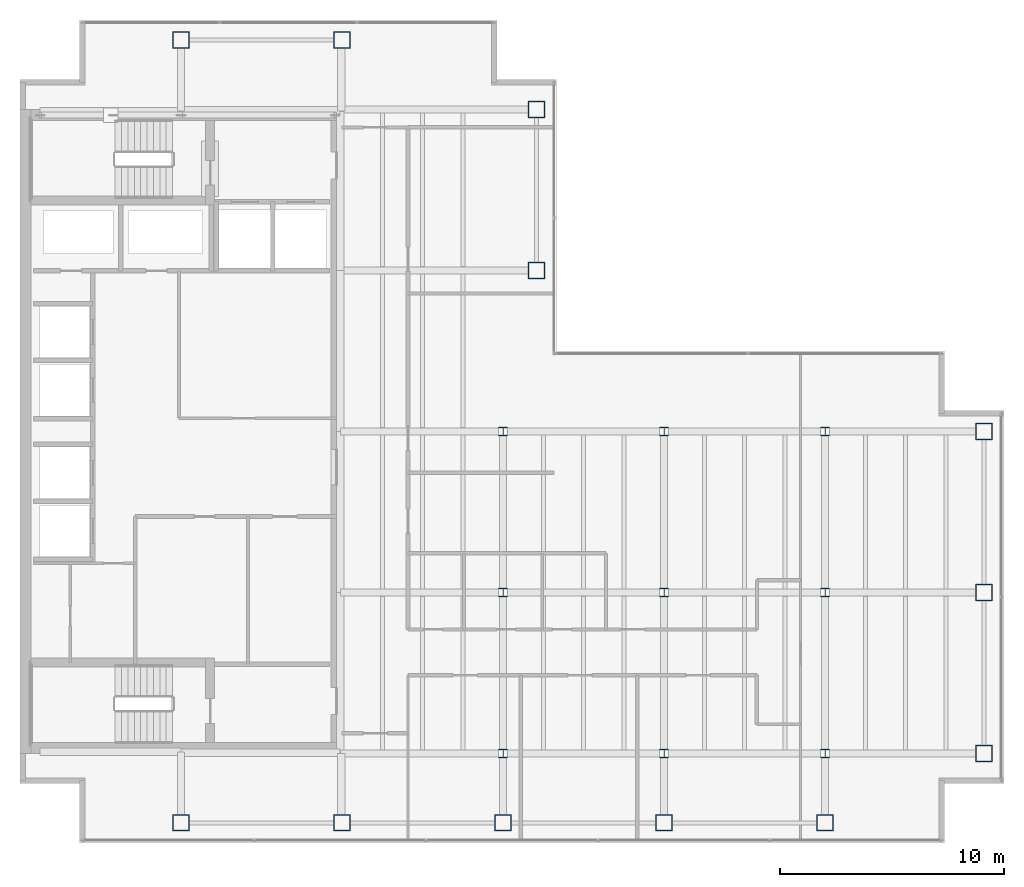
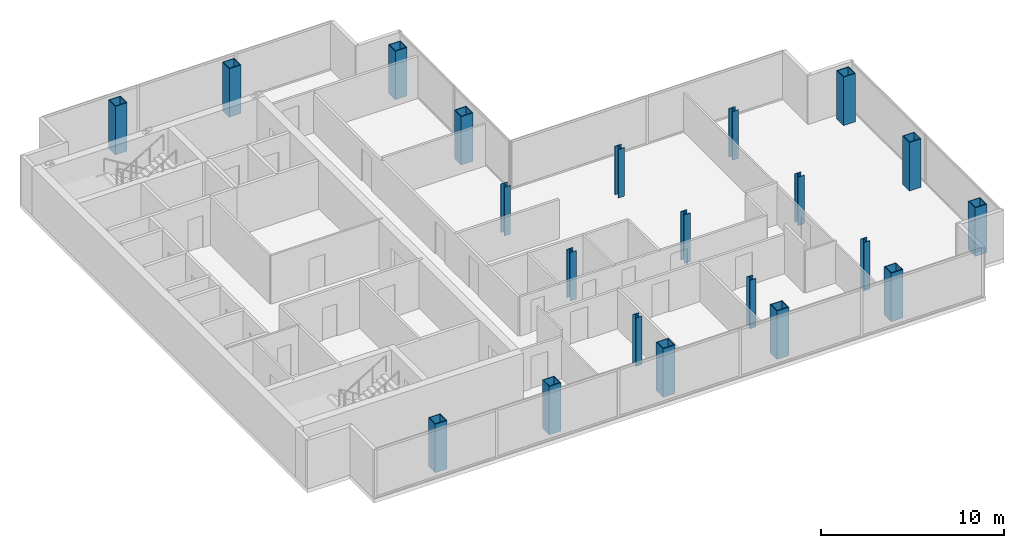
# One storey, part 1 of 23: 21 columns.
"""IFC4 building model written with IfcOpenShell, lengths in metres."""

from ifc_helpers import new_model, si_unit, direction, frame, origin, origin_2d, place, context, subcontext, project, spatial, hollow_rectangle, i_section, extrude, material, material_profile, profile_set, type_object, element, save


model = new_model("IFC4")

# Units and contexts
model_context = context("Model", 3, precision=1e-05, world=origin(), true_north=direction((0.0, 1.0)))
body_context = subcontext(model_context, "Body", "Model", "MODEL_VIEW")
ifc_project = project(units=[si_unit("LENGTHUNIT", "METRE"), si_unit("AREAUNIT", "SQUARE_METRE"), si_unit("VOLUMEUNIT", "CUBIC_METRE"), si_unit("PLANEANGLEUNIT", "RADIAN"), si_unit("MASSUNIT", "GRAM", prefix="KILO")], contexts=[model_context])

# Site, building, storey
site_placement = place(None, origin())
site = spatial("IfcSite", under=ifc_project, at=site_placement, CompositionType="ELEMENT")
building_placement = place(site_placement, origin())
building = spatial("IfcBuilding", under=site, at=building_placement, Name="Cobrela Telecom Tower", CompositionType="ELEMENT")
storey_placement = place(building_placement, frame((0.0, 0.0, 222.25)))
storey = spatial("IfcBuildingStorey", under=building, at=storey_placement, Name="L57", CompositionType="ELEMENT", Elevation=222.25)

# Columns
ifc_material_1 = material(Name="Steel ASTM A992 Grade 50", Category="steel")
ifc_material_profile_1 = material_profile(ifc_material_1, i_section(OverallWidth=0.39892578125, OverallDepth=0.39404296875, WebThickness=0.022705078125, FlangeThickness=0.03662109375, FilletRadius=0.01806640625, at=origin_2d()), Name="W14X193")
ifc_profile_set_1 = profile_set([ifc_material_profile_1], Name="Steel ASTM A992 Grade 50")
column_type_1 = type_object("IfcColumnType", Name="COL-INT-06", PredefinedType="COLUMN", material=ifc_profile_set_1)
for number, where, z_axis, x_axis, name in (
    (1, (21.60009765625, 7.199951171875, 0.0), (0.0, 0.0, 1.0), (1.0, 0.0, 0.0), "L57 Interior Column 06"),
    (2, (21.60009765625, 14.39990234375, 0.0), (0.0, 0.0, 1.0), (1.0, 0.0, 0.0), "L57 Interior Column 07"),
    (3, (21.60009765625, 21.60009765625, 0.0), (0.0, 0.0, 1.0), (1.0, 0.0, 0.0), "L57 Interior Column 08"),
    (4, (28.800048828125, 7.199951171875, 0.0), (0.0, 0.0, 1.0), (1.0, 0.0, 0.0), "L57 Interior Column 12"),
    (5, (28.800048828125, 14.39990234375, 0.0), (0.0, 0.0, 1.0), (1.0, 0.0, 0.0), "L57 Interior Column 13"),
    (6, (28.800048828125, 21.60009765625, 0.0), (0.0, 0.0, 1.0), (1.0, 0.0, 0.0), "L57 Interior Column 14"),
    (7, (36.0, 7.199951171875, 0.0), (0.0, 0.0, 1.0), (1.0, 0.0, 0.0), "L57 Interior Column 16"),
    (8, (36.0, 14.39990234375, 0.0), (0.0, 0.0, 1.0), (1.0, 0.0, 0.0), "L57 Interior Column 17"),
    (9, (36.0, 21.60009765625, 0.0), (0.0, 0.0, 1.0), (1.0, 0.0, 0.0), "L57 Interior Column 18"),
):
    element("IfcColumn", number, at=place(storey_placement, frame(where, z_axis=z_axis, x_axis=x_axis)), inside=storey, type_object=column_type_1, Name=name, PredefinedType="COLUMN", context=body_context, shape_type="SweptSolid", body=[
        extrude(i_section(OverallWidth=0.39892578125, OverallDepth=0.39404296875, WebThickness=0.022705078125, FlangeThickness=0.03662109375, FilletRadius=0.01806640625, at=origin_2d()), origin(), (0.0, 0.0, 1.0), 3.239990234375),
    ])
ifc_material_2 = material(Name="Steel ASTM A572 Grade 50", Category="steel")
ifc_material_profile_2 = material_profile(ifc_material_2, hollow_rectangle(XDim=0.75, YDim=0.75, WallThickness=0.044921875, at=origin_2d()), Name="BOX 750x750x45")
ifc_profile_set_2 = profile_set([ifc_material_profile_2], Name="Steel ASTM A572 Grade 50")
column_type_2 = type_object("IfcColumnType", Name="COL-MEGA-08", PredefinedType="COLUMN", material=ifc_profile_set_2)
for number, where, z_axis, x_axis, name in (
    (10, (7.199951171875, 4.10009765625, 0.0), (0.0, 0.0, 1.0), (1.0, 0.0, 0.0), "L57 Perimeter Mega-Column 01"),
    (11, (7.199951171875, 39.10009765625, 0.0), (0.0, 0.0, 1.0), (1.0, 0.0, 0.0), "L57 Perimeter Mega-Column 02"),
    (12, (14.39990234375, 4.10009765625, 0.0), (0.0, 0.0, 1.0), (1.0, 0.0, 0.0), "L57 Perimeter Mega-Column 03"),
    (13, (14.39990234375, 39.10009765625, 0.0), (0.0, 0.0, 1.0), (1.0, 0.0, 0.0), "L57 Perimeter Mega-Column 04"),
    (14, (21.60009765625, 4.10009765625, 0.0), (0.0, 0.0, 1.0), (1.0, 0.0, 0.0), "L57 Perimeter Mega-Column 05"),
    (15, (23.10009765625, 28.800048828125, 0.0), (0.0, 0.0, 1.0), (1.0, 0.0, 0.0), "L57 Perimeter Mega-Column 09"),
    (16, (23.10009765625, 36.0, 0.0), (0.0, 0.0, 1.0), (1.0, 0.0, 0.0), "L57 Perimeter Mega-Column 10"),
    (17, (28.800048828125, 4.10009765625, 0.0), (0.0, 0.0, 1.0), (1.0, 0.0, 0.0), "L57 Perimeter Mega-Column 11"),
    (18, (36.0, 4.10009765625, 0.0), (0.0, 0.0, 1.0), (1.0, 0.0, 0.0), "L57 Perimeter Mega-Column 15"),
    (19, (43.10009765625, 7.199951171875, 0.0), (0.0, 0.0, 1.0), (1.0, 0.0, 0.0), "L57 Perimeter Mega-Column 19"),
    (20, (43.10009765625, 14.39990234375, 0.0), (0.0, 0.0, 1.0), (1.0, 0.0, 0.0), "L57 Perimeter Mega-Column 20"),
    (21, (43.10009765625, 21.60009765625, 0.0), (0.0, 0.0, 1.0), (1.0, 0.0, 0.0), "L57 Perimeter Mega-Column 21"),
):
    element("IfcColumn", number, at=place(storey_placement, frame(where, z_axis=z_axis, x_axis=x_axis)), inside=storey, type_object=column_type_2, Name=name, PredefinedType="COLUMN", context=body_context, shape_type="SweptSolid", body=[
        extrude(hollow_rectangle(XDim=0.75, YDim=0.75, WallThickness=0.044921875, at=origin_2d()), origin(), (0.0, 0.0, 1.0), 3.239990234375),
    ])

save(model, "model.ifc")
